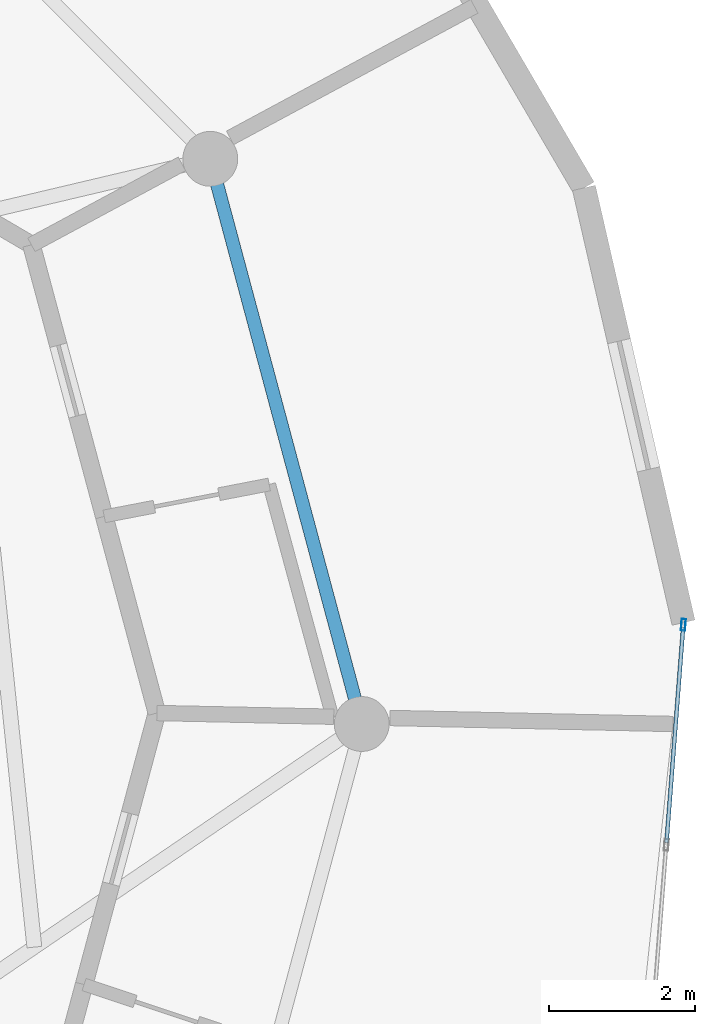
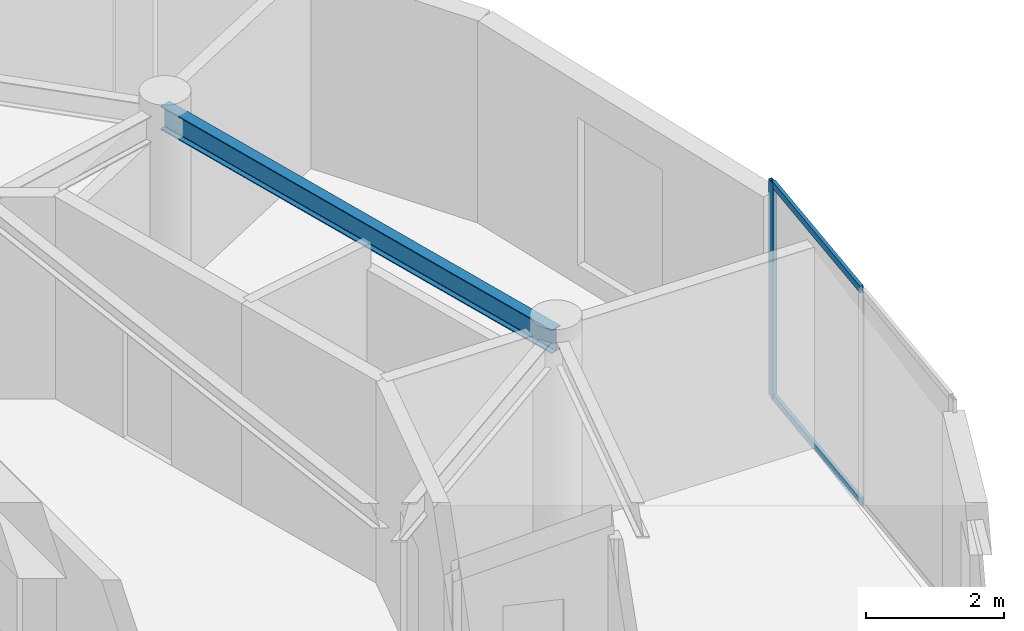
# One storey, part 9 of 19: 3 members, 1 beam, 1 element without a shape of its own.
"""IFC4 building model written with IfcOpenShell, lengths in metres."""

from ifc_helpers import new_model, si_unit, direction, frame, origin, origin_2d, place, context, subcontext, project, spatial, hollow_rectangle, i_section, extrude, source, transform, mapped, material, layer, layer_set, material_profile, profile_set, type_object, element, aggregate, save


model = new_model("IFC4")

# Units and contexts
model_context = context("Model", 3, precision=1e-05, world=origin(), true_north=direction((0.0, 1.0)))
body_context = subcontext(model_context, "Body", "Model", "MODEL_VIEW")
ifc_project = project(units=[si_unit("LENGTHUNIT", "METRE"), si_unit("AREAUNIT", "SQUARE_METRE"), si_unit("VOLUMEUNIT", "CUBIC_METRE"), si_unit("PLANEANGLEUNIT", "RADIAN"), si_unit("MASSUNIT", "GRAM", prefix="KILO")], contexts=[model_context])

# Site, building, storey
site_placement = place(None, origin())
site = spatial("IfcSite", under=ifc_project, at=site_placement, CompositionType="ELEMENT")
building_placement = place(site_placement, origin())
building = spatial("IfcBuilding", under=site, at=building_placement, Name="Solvirekh Grand Hotel", CompositionType="ELEMENT")
storey_placement = place(building_placement, frame((0.0, 0.0, 266.800048828125)))
storey = spatial("IfcBuildingStorey", under=building, at=storey_placement, Name="L69", CompositionType="ELEMENT", Elevation=266.800048828125)

# Beam
ifc_material_1 = material(Name="Steel S355", Category="steel")
ifc_material_profile_1 = material_profile(ifc_material_1, i_section(OverallWidth=0.180908203125, OverallDepth=0.4169921875, WebThickness=0.010009765625, FlangeThickness=0.01611328125, FilletRadius=0.011962890625, at=origin_2d()), Name="W410X85")
ifc_profile_set_1 = profile_set([ifc_material_profile_1], Name="Steel S355")
beam_type = type_object("IfcBeamType", Name="Spandrel_Ring_W410", PredefinedType="SPANDREL", material=ifc_profile_set_1)
beam_placement = place(storey_placement, frame((15.449951171875, 0.0, 3.36083984375), z_axis=(-0.258834757072, 0.965921616143, 0.0), x_axis=(-0.965921616143, -0.258834757072, 0.0)))
element("IfcBeam", 1, at=beam_placement, inside=storey, type_object=beam_type, Name="L69 perimeter spandrel beam 1", PredefinedType="SPANDREL", context=body_context, shape_type="SweptSolid", body=[
    extrude(i_section(OverallWidth=0.180908203125, OverallDepth=0.4169921875, WebThickness=0.010009765625, FlangeThickness=0.01611328125, FilletRadius=0.011962890625, at=origin_2d()), origin(), (0.0, 0.0, 1.0), 7.99755859375),
])

# Curtain wall, members
ifc_material_2 = material(Name="Anodized Bronze Aluminium 6063-T6", Category="aluminium")
ifc_layer = layer(ifc_material_2, 0.159912109375)
ifc_layer_set = layer_set([ifc_layer], Name="Anodized Bronze Aluminium 6063-T6")
curtain_wall_type = type_object("IfcCurtainWallType", Name="CW_Sys4_HighZoneFlushBronzeCW", PredefinedType="NOTDEFINED", material=ifc_layer_set)
curtain_wall_placement = place(storey_placement, origin())
curtain_wall = element("IfcCurtainWall", 2, at=curtain_wall_placement, inside=storey, type_object=curtain_wall_type, Name="L69 unitised bronze-glass curtain wall CW-L69-C05", PredefinedType="NOTDEFINED")
ifc_material_profile_2 = material_profile(ifc_material_2, hollow_rectangle(XDim=0.06005859375, YDim=0.159912109375, WallThickness=0.0048828125, at=origin_2d()), Name="ALU RHS 160X60X5")
ifc_profile_set_2 = profile_set([ifc_material_profile_2], Name="Anodized Bronze Aluminium 6063-T6")
member_type_1 = type_object("IfcMemberType", Name="CWMullion_Sys4", PredefinedType="MULLION", material=ifc_profile_set_2)
shared_shape_1 = source(origin(), body_context, "Body", "SweptSolid", [
    extrude(hollow_rectangle(XDim=0.06005859375, YDim=0.159912109375, WallThickness=0.0048828125, at=origin_2d()), origin(), (0.0, 0.0, 1.0), 3.800048828125),
])
member_1_placement = place(storey_placement, frame((19.8466796875, 1.356201171875, 0.0), z_axis=(0.0, 0.0, 1.0), x_axis=(-0.997022551644, 0.077110514934, 0.0)))
member_1 = element("IfcMember", 3, at=member_1_placement, type_object=member_type_1, Name="U04 mullion 3", PredefinedType="MULLION", context=body_context, shape_type="MappedRepresentation", body=[
    mapped(shared_shape_1, transform((0.0, 0.0, 0.0), x_axis=(1.0, 0.0, 0.0), y_axis=(0.0, 1.0, 0.0), z_axis=(0.0, 0.0, 1.0), scale=1.0)),
])
ifc_material_profile_3 = material_profile(ifc_material_2, hollow_rectangle(XDim=0.054931640625, YDim=0.1201171875, WallThickness=0.00390625, at=origin_2d()), Name="ALU RHS 120X55X4")
ifc_profile_set_3 = profile_set([ifc_material_profile_3], Name="Anodized Bronze Aluminium 6063-T6")
member_type_2 = type_object("IfcMemberType", Name="CWTransom_Sys4", PredefinedType="USERDEFINED", material=ifc_profile_set_3)
shared_shape_2 = source(origin(), body_context, "Body", "SweptSolid", [
    extrude(hollow_rectangle(XDim=0.054931640625, YDim=0.1201171875, WallThickness=0.00390625, at=origin_2d()), origin(), (0.0, 0.0, 1.0), 2.95751953125),
])
member_2_placement = place(storey_placement, frame((19.6162109375, -1.62255859375, 0.02734375), z_axis=(0.077182552907, 0.997016977552, 0.0), x_axis=(-0.997016977552, 0.077182552907, 0.0)))
member_2 = element("IfcMember", 4, at=member_2_placement, type_object=member_type_2, Name="U04 transom 2.1", ObjectType="TRANSOM", PredefinedType="USERDEFINED", context=body_context, shape_type="MappedRepresentation", body=[
    mapped(shared_shape_2, transform((0.0, 0.0, 0.0), x_axis=(1.0, 0.0, 0.0), y_axis=(0.0, 1.0, 0.0), z_axis=(0.0, 0.0, 1.0), scale=1.0)),
])
member_3_placement = place(storey_placement, frame((19.6162109375, -1.62255859375, 3.7724609375), z_axis=(0.077182552907, 0.997016977552, 0.0), x_axis=(-0.997016977552, 0.077182552907, 0.0)))
member_3 = element("IfcMember", 5, at=member_3_placement, type_object=member_type_2, Name="U04 transom 2.2", ObjectType="TRANSOM", PredefinedType="USERDEFINED", context=body_context, shape_type="MappedRepresentation", body=[
    mapped(shared_shape_2, transform((0.0, 0.0, 0.0), x_axis=(1.0, 0.0, 0.0), y_axis=(0.0, 1.0, 0.0), z_axis=(0.0, 0.0, 1.0), scale=1.0)),
])
aggregate(curtain_wall, [member_1, member_2, member_3])

save(model, "model.ifc")
